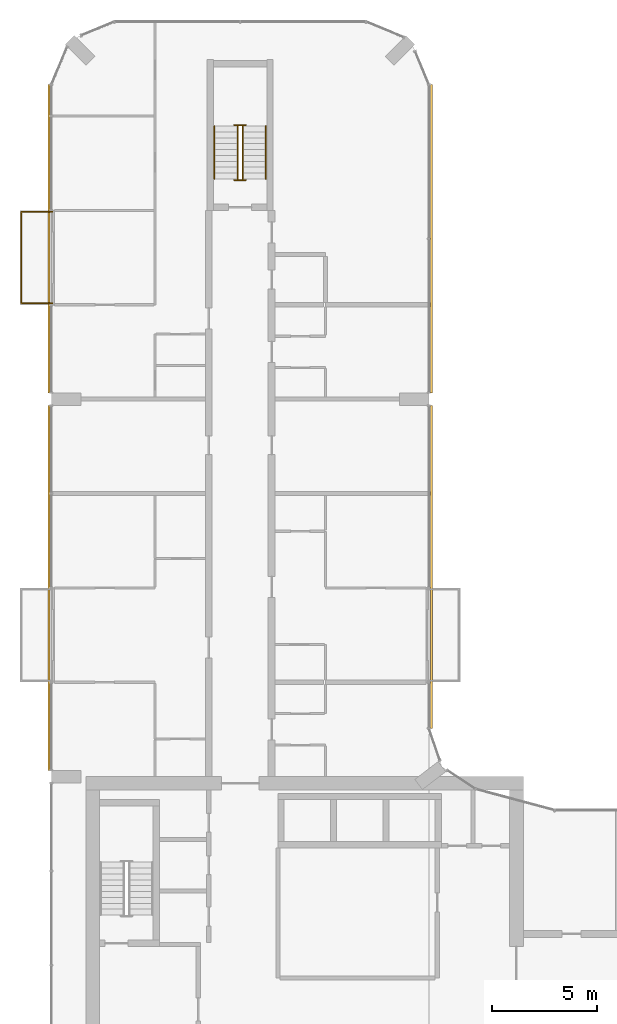
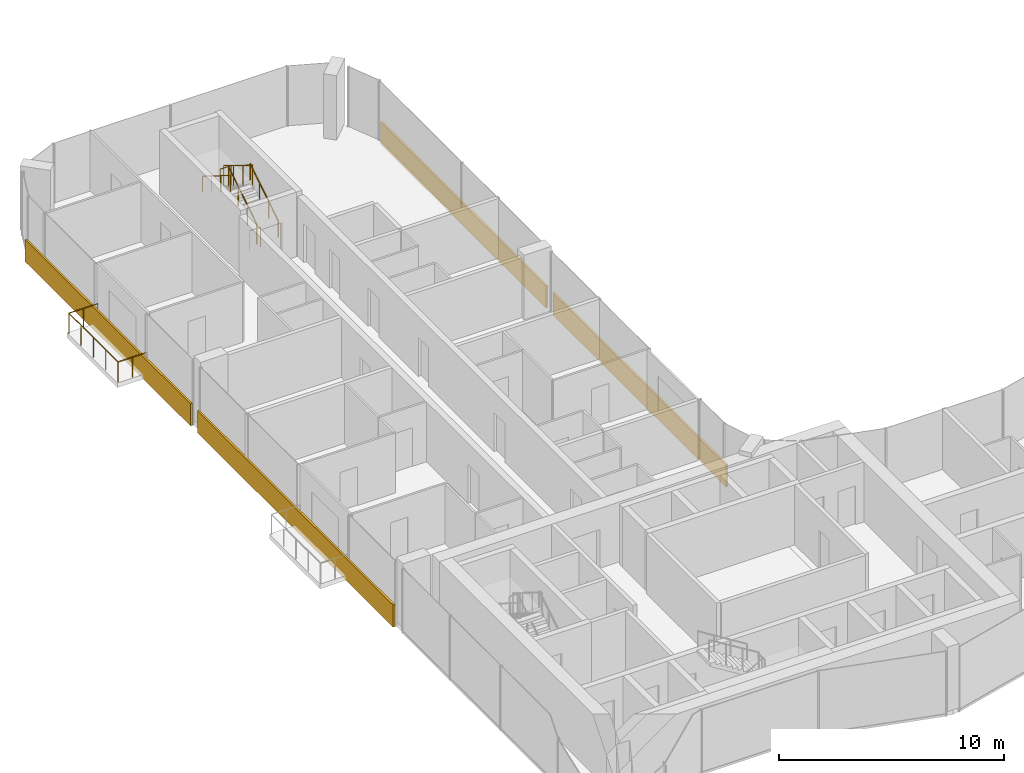
# One storey, part 21 of 22: 7 railings, 4 coverings.
"""IFC4 building model written with IfcOpenShell, lengths in metres."""

import ifcopenshell
import ifcopenshell.guid

model = None  # the IFC model being written
_history = None  # IfcOwnerHistory: only IFC2X3 demands one
_inside = {}  # id of a spatial element -> (the spatial element, [elements in it])
_under = {}  # id of a project, library or spatial element -> (it, [spatial elements below it])
_declared = {}  # id of a project -> (the project, [libraries it declares])
_typed = {}  # id of a type object -> (the type object, [elements of that type])
_made_of = {}  # id of a material, layer set ... -> (it, [elements and type objects made of it])


def new_model(schema):
    """Start an empty IFC model of exactly this schema.

    Asked for "IFC4X3", IfcOpenShell would pick the latest addendum, in which some entities
    have other attributes; the version numbers below select the first issue.
    IFC2X3 requires an IfcOwnerHistory on every rooted entity: one is made here for all.
    """
    global model, _history
    if schema == "IFC4X3":
        model = ifcopenshell.file(schema_version=(4, 3, 0, 0))
    else:
        model = ifcopenshell.file(schema=schema)
    _inside.clear()
    _under.clear()
    _declared.clear()
    _typed.clear()
    _made_of.clear()
    _history = None
    if model.schema == "IFC2X3":
        org = make("IfcOrganization", Name="unknown")
        user = make(
            "IfcPersonAndOrganization",
            ThePerson=make("IfcPerson", FamilyName="unknown"),
            TheOrganization=org,
        )
        app = make(
            "IfcApplication",
            ApplicationDeveloper=org,
            Version="unknown",
            ApplicationFullName="unknown",
            ApplicationIdentifier="unknown",
        )
        _history = make(
            "IfcOwnerHistory",
            OwningUser=user,
            OwningApplication=app,
            ChangeAction="ADDED",
            CreationDate=0,
        )
    return model


def make(cls, **values):
    """One entity of the class cls with the attributes given. An attribute that is None is left unset."""
    return model.create_entity(
        cls, **{name: value for name, value in values.items() if value is not None}
    )


def rooted(cls, **values):
    """An entity with a GlobalId (a new one), such as an element, a storey or a relation."""
    return make(cls, GlobalId=ifcopenshell.guid.new(), OwnerHistory=_history, **values)


def si_unit(unit_type, name, prefix=None):
    """IfcSIUnit, for example si_unit("LENGTHUNIT", "METRE", prefix="MILLI")."""
    return make("IfcSIUnit", UnitType=unit_type, Prefix=prefix, Name=name)


def assignment(units):
    """IfcUnitAssignment: the units of a project."""
    return None if units is None else make("IfcUnitAssignment", Units=units)


def point(xyz):
    """IfcCartesianPoint."""
    return None if xyz is None else make("IfcCartesianPoint", Coordinates=xyz)


def direction(xyz):
    """IfcDirection."""
    return None if xyz is None else make("IfcDirection", DirectionRatios=xyz)


def frame(location, z_axis=None, x_axis=None):
    """IfcAxis2Placement3D, a coordinate frame: its origin and axes. An axis left out is left unset."""
    return make(
        "IfcAxis2Placement3D",
        Location=point(location),
        Axis=direction(z_axis),
        RefDirection=direction(x_axis),
    )


def frame_2d(location, x_axis=None):
    """IfcAxis2Placement2D, a coordinate frame in the plane: its origin and x axis."""
    return make(
        "IfcAxis2Placement2D", Location=point(location), RefDirection=direction(x_axis)
    )


def origin():
    """The frame at (0, 0, 0) with its axes left unset."""
    return frame((0.0, 0.0, 0.0))


def origin_2d():
    """The frame at (0, 0) in the plane with its x axis left unset."""
    return frame_2d((0.0, 0.0))


def place(relative_to, where):
    """IfcLocalPlacement: puts the frame where relative to a parent placement (None: the world)."""
    return make(
        "IfcLocalPlacement", PlacementRelTo=relative_to, RelativePlacement=where
    )


def context(
    kind, dimensions, precision=None, world=None, true_north=None, identifier=None
):
    """IfcGeometricRepresentationContext, for example the 3D "Model" context."""
    return make(
        "IfcGeometricRepresentationContext",
        ContextIdentifier=identifier,
        ContextType=kind,
        CoordinateSpaceDimension=dimensions,
        Precision=precision,
        WorldCoordinateSystem=world,
        TrueNorth=true_north,
    )


def subcontext(parent, identifier, kind, view, scale=None):
    """IfcGeometricRepresentationSubContext, for example "Body" below "Model"."""
    return make(
        "IfcGeometricRepresentationSubContext",
        ContextIdentifier=identifier,
        ContextType=kind,
        ParentContext=parent,
        TargetScale=scale,
        TargetView=view,
    )


def project(units=None, contexts=None):
    """IfcProject with its units and contexts."""
    return rooted(
        "IfcProject",
        Name="project",
        RepresentationContexts=contexts,
        UnitsInContext=assignment(units),
    )


def spatial(cls, under=None, at=None, **own):
    """A site, building, storey or space (cls), placed at a placement, below another one or the project."""
    s = rooted(cls, ObjectPlacement=at, **own)
    if under is not None:
        _under.setdefault(under.id(), (under, []))[1].append(s)
    return s


def profile(cls, at=None, kind="AREA", **sizes):
    """A parametric profile (cls). Its sizes go by their IFC names, for example OverallWidth=200.0."""
    return make(cls, ProfileType=kind, Position=at, **sizes)


def rectangle(**sizes):
    """IfcRectangleProfileDef."""
    return profile("IfcRectangleProfileDef", **sizes)


def circle(**sizes):
    """IfcCircleProfileDef."""
    return profile("IfcCircleProfileDef", **sizes)


def extrude(swept, where, along, depth):
    """IfcExtrudedAreaSolid: the profile swept, set in the frame where, extruded along a direction by depth."""
    return make(
        "IfcExtrudedAreaSolid",
        SweptArea=swept,
        Position=where,
        ExtrudedDirection=direction(along),
        Depth=depth,
    )


def shape(context_of_items, identifier, shape_type, items):
    """IfcShapeRepresentation: the items that make up one representation, for example the "Body"."""
    return make(
        "IfcShapeRepresentation",
        ContextOfItems=context_of_items,
        RepresentationIdentifier=identifier,
        RepresentationType=shape_type,
        Items=items,
    )


def material(Name=None, Category=None):
    """IfcMaterial."""
    return make("IfcMaterial", Name=Name, Category=Category)


def layer(
    of_material, thickness, ventilated=None, Name=None, Category=None, Priority=None
):
    """IfcMaterialLayer: one layer of a wall or slab, of a material (None: an air gap)."""
    return make(
        "IfcMaterialLayer",
        Material=of_material,
        LayerThickness=thickness,
        IsVentilated=ventilated,
        Name=Name,
        Category=Category,
        Priority=Priority,
    )


def layer_set(layers, Name=None):
    """IfcMaterialLayerSet."""
    return make("IfcMaterialLayerSet", MaterialLayers=layers, LayerSetName=Name)


def made_of(thing, what):
    """Note that an element or type object is made of a material, layer set ...; save() writes the relation."""
    if what is not None:
        _made_of.setdefault(what.id(), (what, []))[1].append(thing)
    return thing


def type_object(cls, material=None, **own):
    """A type object (cls), such as IfcWallType, which elements share."""
    return made_of(rooted(cls, **own), material)


def element(
    cls,
    number,
    at=None,
    inside=None,
    cuts=None,
    type_object=None,
    material=None,
    context=None,
    identifier="Body",
    shape_type=None,
    held_by="IfcProductDefinitionShape",
    body=None,
    shapes=None,
    **own,
):
    """One element of the class cls, such as IfcWall. Its Tag is "e" and its number.

    at: its placement. inside: the storey or other place that contains it. cuts: it is an
    opening in that element (IfcRelVoidsElement). A single representation is given by context,
    identifier, shape_type and body (its items); several are given by shapes. held_by: the class
    of the entity that holds the representations. save() writes the other relations.
    """
    e = rooted(cls, Tag="e%d" % number, ObjectPlacement=at, **own)
    if body is not None:
        shapes = [shape(context, identifier, shape_type, body)]
    if shapes is not None:
        e.Representation = make(held_by, Representations=shapes)
    if inside is not None:
        _inside.setdefault(inside.id(), (inside, []))[1].append(e)
    if cuts is not None:
        rooted(
            "IfcRelVoidsElement", RelatingBuildingElement=cuts, RelatedOpeningElement=e
        )
    if type_object is not None:
        _typed.setdefault(type_object.id(), (type_object, []))[1].append(e)
    return made_of(e, material)


def aggregate(whole, parts):
    """IfcRelAggregates: a whole, such as a stair, and the parts it consists of."""
    return rooted("IfcRelAggregates", RelatingObject=whole, RelatedObjects=parts)


def save(model, path):
    """Write the relations noted so far, then the file.

    IfcRelAggregates (storeys below a building ...), IfcRelContainedInSpatialStructure (elements
    in a storey), IfcRelDefinesByType, IfcRelAssociatesMaterial and IfcRelDeclares: one each for
    every whole, place, type object, material and project.
    """
    for whole, parts in _under.values():
        aggregate(whole, parts)
    for where, things in _inside.values():
        rooted(
            "IfcRelContainedInSpatialStructure",
            RelatedElements=things,
            RelatingStructure=where,
        )
    for kind, things in _typed.values():
        rooted("IfcRelDefinesByType", RelatedObjects=things, RelatingType=kind)
    for what, things in _made_of.values():
        rooted("IfcRelAssociatesMaterial", RelatedObjects=things, RelatingMaterial=what)
    for by, libraries in _declared.values():
        rooted("IfcRelDeclares", RelatingContext=by, RelatedDefinitions=libraries)
    model.write(path)


model = new_model("IFC4")

# Units and contexts
model_context = context("Model", 3, precision=1e-05, world=origin(), true_north=direction((0.0, 1.0)))
body_context = subcontext(model_context, "Body", "Model", "MODEL_VIEW")
ifc_project = project(units=[si_unit("LENGTHUNIT", "METRE"), si_unit("AREAUNIT", "SQUARE_METRE"), si_unit("VOLUMEUNIT", "CUBIC_METRE"), si_unit("PLANEANGLEUNIT", "RADIAN"), si_unit("MASSUNIT", "GRAM", prefix="KILO")], contexts=[model_context])

# Site, building, storey
site_placement = place(None, origin())
site = spatial("IfcSite", under=ifc_project, at=site_placement, CompositionType="ELEMENT")
building_placement = place(site_placement, origin())
building = spatial("IfcBuilding", under=site, at=building_placement, Name="Plateau Cross Towers", CompositionType="ELEMENT")
storey_placement = place(building_placement, frame((0.0, 0.0, 109.800048828125)))
storey = spatial("IfcBuildingStorey", under=building, at=storey_placement, Name="L28", CompositionType="ELEMENT", Elevation=109.800048828125)

# Railings
ifc_material_1 = material(Name="Stainless steel and toughened glass", Category="steel")
railing_type_1 = type_object("IfcRailingType", Name="Glass balustrade guard 1100", PredefinedType="GUARDRAIL", material=ifc_material_1)
railing_1_placement = place(storey_placement, frame((0.050048828125, 40.570068359375, 0.0)))
element("IfcRailing", 1, at=railing_1_placement, inside=storey, type_object=railing_type_1, Name="Guard guard1", PredefinedType="GUARDRAIL", context=body_context, shape_type="SweptSolid", body=[
    extrude(circle(Radius=0.02392578125, at=origin_2d()), frame((0.0, 0.0, 1.076171875), z_axis=(-1.0, 0.0, 0.0), x_axis=(0.0, -1.0, 0.0)), (0.0, 0.0, 1.0), 1.47998046875),
    extrude(circle(Radius=0.02392578125, at=origin_2d()), frame((-1.47998046875, 0.0, 1.076171875), z_axis=(0.0, 1.0, 0.0), x_axis=(-1.0, 0.0, 0.0)), (0.0, 0.0, 1.0), 4.35986328125),
    extrude(circle(Radius=0.02392578125, at=origin_2d()), frame((-1.47998046875, 4.35986328125, 1.076171875), z_axis=(1.0, 0.0, 0.0), x_axis=(0.0, 1.0, 0.0)), (0.0, 0.0, 1.0), 1.47998046875),
    extrude(circle(Radius=0.02099609375, at=origin_2d()), origin(), (0.0, 0.0, 1.0), 1.052001953125),
    extrude(circle(Radius=0.02099609375, at=origin_2d()), frame((-0.739990234375, 0.0, 0.0)), (0.0, 0.0, 1.0), 1.052001953125),
    extrude(circle(Radius=0.02099609375, at=origin_2d()), frame((-1.47998046875, 0.0, 0.0)), (0.0, 0.0, 1.0), 1.052001953125),
    extrude(circle(Radius=0.02099609375, at=origin_2d()), frame((-1.47998046875, 1.08984375, 0.0)), (0.0, 0.0, 1.0), 1.052001953125),
    extrude(circle(Radius=0.02099609375, at=origin_2d()), frame((-1.47998046875, 2.179931640625, 0.0)), (0.0, 0.0, 1.0), 1.052001953125),
    extrude(circle(Radius=0.02099609375, at=origin_2d()), frame((-1.47998046875, 3.27001953125, 0.0)), (0.0, 0.0, 1.0), 1.052001953125),
    extrude(circle(Radius=0.02099609375, at=origin_2d()), frame((-1.47998046875, 4.35986328125, 0.0)), (0.0, 0.0, 1.0), 1.052001953125),
    extrude(circle(Radius=0.02099609375, at=origin_2d()), frame((-0.739990234375, 4.35986328125, 0.0)), (0.0, 0.0, 1.0), 1.052001953125),
    extrude(circle(Radius=0.02099609375, at=origin_2d()), frame((0.0, 4.35986328125, 0.0)), (0.0, 0.0, 1.0), 1.052001953125),
])
railing_type_2 = type_object("IfcRailingType", Name="RL-GUARD-1100", PredefinedType="GUARDRAIL", material=ifc_material_1)
railing_2_placement = place(storey_placement, frame((9.125, 46.5, 0.175048828125)))
element("IfcRailing", 2, at=railing_2_placement, inside=storey, type_object=railing_type_2, Name="L28 ES-N stair guard 1", PredefinedType="GUARDRAIL", context=body_context, shape_type="SweptSolid", body=[
    extrude(circle(Radius=0.02392578125, at=origin_2d()), frame((0.0, 0.0, 1.076171875), z_axis=(0.0, 0.848007534815, 0.529984170421), x_axis=(-1.0, 0.0, 0.0)), (0.0, 0.0, 1.0), 2.9716796875),
    extrude(circle(Radius=0.02099609375, at=origin_2d()), origin(), (0.0, 0.0, 1.0), 1.052001953125),
    extrude(circle(Radius=0.02099609375, at=origin_2d()), frame((0.0, 0.840087890625, 0.52490234375)), (0.0, 0.0, 1.0), 1.052001953125),
    extrude(circle(Radius=0.02099609375, at=origin_2d()), frame((0.0, 1.679931640625, 1.050048828125)), (0.0, 0.0, 1.0), 1.052001953125),
    extrude(circle(Radius=0.02099609375, at=origin_2d()), frame((0.0, 2.52001953125, 1.574951171875)), (0.0, 0.0, 1.0), 1.052001953125),
])
railing_3_placement = place(storey_placement, frame((9.27490234375, 49.070068359375, 1.75)))
element("IfcRailing", 3, at=railing_3_placement, inside=storey, type_object=railing_type_2, Name="L28 ES-N stair guard 2", PredefinedType="GUARDRAIL", context=body_context, shape_type="SweptSolid", body=[
    extrude(circle(Radius=0.02392578125, at=origin_2d()), frame((0.0, 0.0, 1.076171875), z_axis=(-1.0, 0.0, 0.0), x_axis=(0.0, -1.0, 0.0)), (0.0, 0.0, 1.0), 0.5498046875),
    extrude(circle(Radius=0.02099609375, at=origin_2d()), origin(), (0.0, 0.0, 1.0), 1.052001953125),
    extrude(circle(Radius=0.02099609375, at=origin_2d()), frame((-0.5498046875, 0.0, 0.0)), (0.0, 0.0, 1.0), 1.052001953125),
])
railing_4_placement = place(storey_placement, frame((8.875, 49.02001953125, 1.925048828125)))
element("IfcRailing", 4, at=railing_4_placement, inside=storey, type_object=railing_type_2, Name="L28 ES-N stair guard 3", PredefinedType="GUARDRAIL", context=body_context, shape_type="SweptSolid", body=[
    extrude(circle(Radius=0.02392578125, at=origin_2d()), frame((0.0, 0.0, 1.076171875), z_axis=(0.0, -0.852638500773, 0.522501279423), x_axis=(1.0, 0.0, 0.0)), (0.0, 0.0, 1.0), 3.01416015625),
    extrude(circle(Radius=0.02099609375, at=origin_2d()), origin(), (0.0, 0.0, 1.0), 1.052001953125),
    extrude(circle(Radius=0.02099609375, at=origin_2d()), frame((0.0, -0.856689453125, 0.52490234375)), (0.0, 0.0, 1.0), 1.052001953125),
    extrude(circle(Radius=0.02099609375, at=origin_2d()), frame((0.0, -1.71337890625, 1.050048828125)), (0.0, 0.0, 1.0), 1.052001953125),
    extrude(circle(Radius=0.02099609375, at=origin_2d()), frame((0.0, -2.570068359375, 1.574951171875)), (0.0, 0.0, 1.0), 1.052001953125),
])
railing_5_placement = place(storey_placement, frame((9.27490234375, 46.449951171875, 0.0)))
element("IfcRailing", 5, at=railing_5_placement, inside=storey, type_object=railing_type_2, Name="L28 ES-N stair guard 4", PredefinedType="GUARDRAIL", context=body_context, shape_type="SweptSolid", body=[
    extrude(circle(Radius=0.02392578125, at=origin_2d()), frame((0.0, 0.0, 1.076171875), z_axis=(-1.0, 0.0, 0.0), x_axis=(0.0, -1.0, 0.0)), (0.0, 0.0, 1.0), 0.5498046875),
    extrude(circle(Radius=0.02099609375, at=origin_2d()), origin(), (0.0, 0.0, 1.0), 1.052001953125),
    extrude(circle(Radius=0.02099609375, at=origin_2d()), frame((-0.5498046875, 0.0, 0.0)), (0.0, 0.0, 1.0), 1.052001953125),
])
ifc_material_2 = material(Name="Black anodised aluminium", Category="aluminium")
railing_type_3 = type_object("IfcRailingType", Name="RL-HANDRAIL-900", PredefinedType="HANDRAIL", material=ifc_material_2)
railing_6_placement = place(storey_placement, frame((10.22509765625, 46.5, 0.175048828125)))
element("IfcRailing", 6, at=railing_6_placement, inside=storey, type_object=railing_type_3, Name="L28 ES-N stair handrail 1", PredefinedType="HANDRAIL", context=body_context, shape_type="SweptSolid", body=[
    extrude(circle(Radius=0.02392578125, at=origin_2d()), frame((0.0, 0.0, 0.8759765625), z_axis=(0.0, 0.848007534815, 0.529984170421), x_axis=(-1.0, 0.0, 0.0)), (0.0, 0.0, 1.0), 2.9716796875),
    extrude(circle(Radius=0.02099609375, at=origin_2d()), origin(), (0.0, 0.0, 1.0), 0.851806640625),
    extrude(circle(Radius=0.02099609375, at=origin_2d()), frame((0.0, 0.840087890625, 0.52490234375)), (0.0, 0.0, 1.0), 0.851806640625),
    extrude(circle(Radius=0.02099609375, at=origin_2d()), frame((0.0, 1.679931640625, 1.050048828125)), (0.0, 0.0, 1.0), 0.851806640625),
    extrude(circle(Radius=0.02099609375, at=origin_2d()), frame((0.0, 2.52001953125, 1.574951171875)), (0.0, 0.0, 1.0), 0.851806640625),
])
railing_7_placement = place(storey_placement, frame((7.77490234375, 49.02001953125, 1.925048828125)))
element("IfcRailing", 7, at=railing_7_placement, inside=storey, type_object=railing_type_3, Name="L28 ES-N stair handrail 2", PredefinedType="HANDRAIL", context=body_context, shape_type="SweptSolid", body=[
    extrude(circle(Radius=0.02392578125, at=origin_2d()), frame((0.0, 0.0, 0.8759765625), z_axis=(0.0, -0.848007534815, 0.529984170421), x_axis=(1.0, 0.0, 0.0)), (0.0, 0.0, 1.0), 2.9716796875),
    extrude(circle(Radius=0.02099609375, at=origin_2d()), origin(), (0.0, 0.0, 1.0), 0.851806640625),
    extrude(circle(Radius=0.02099609375, at=origin_2d()), frame((0.0, -0.840087890625, 0.52490234375)), (0.0, 0.0, 1.0), 0.851806640625),
    extrude(circle(Radius=0.02099609375, at=origin_2d()), frame((0.0, -1.679931640625, 1.050048828125)), (0.0, 0.0, 1.0), 0.851806640625),
    extrude(circle(Radius=0.02099609375, at=origin_2d()), frame((0.0, -2.52001953125, 1.574951171875)), (0.0, 0.0, 1.0), 0.851806640625),
])

# Coverings
ifc_material_3 = material(Name="Precast concrete cladding C40/50", Category="concrete")
ifc_layer = layer(ifc_material_3, 0.10009765625)
ifc_layer_set = layer_set([ifc_layer], Name="Precast concrete cladding C40/50")
covering_type = type_object("IfcCoveringType", Name="Spandrel band cladding 100x1200", PredefinedType="CLADDING", material=ifc_layer_set)
covering_1_placement = place(storey_placement, frame((18.1201171875, 28.001220703125, -0.25), z_axis=(0.0, 0.0, 1.0), x_axis=(0.0, 1.0, 0.0)))
element("IfcCovering", 8, at=covering_1_placement, inside=storey, type_object=covering_type, Name="Spandrel band", PredefinedType="CLADDING", context=body_context, shape_type="SweptSolid", body=[
    extrude(rectangle(XDim=15.397705078125, YDim=0.10009765625, at=origin_2d()), origin(), (0.0, 0.0, 1.0), 1.199951171875),
])
for number, where, z_axis, x_axis, name in (
    (9, (18.1201171875, 43.64990234375, -0.25), (0.0, 0.0, 1.0), (0.0, 1.0, 0.0), "Spandrel band"),
    (10, (-0.1201171875, 43.64990234375, -0.25), (0.0, 0.0, 1.0), (0.0, -1.0, 0.0), "Spandrel band"),
):
    element("IfcCovering", number, at=place(storey_placement, frame(where, z_axis=z_axis, x_axis=x_axis)), inside=storey, type_object=covering_type, Name=name, PredefinedType="CLADDING", context=body_context, shape_type="SweptSolid", body=[
        extrude(rectangle(XDim=14.699951171875, YDim=0.10009765625, at=origin_2d()), origin(), (0.0, 0.0, 1.0), 1.199951171875),
    ])
covering_2_placement = place(storey_placement, frame((-0.1201171875, 27.0, -0.25), z_axis=(0.0, 0.0, 1.0), x_axis=(0.0, -1.0, 0.0)))
element("IfcCovering", 11, at=covering_2_placement, inside=storey, type_object=covering_type, Name="Spandrel band", PredefinedType="CLADDING", context=body_context, shape_type="SweptSolid", body=[
    extrude(rectangle(XDim=17.39990234375, YDim=0.10009765625, at=origin_2d()), origin(), (0.0, 0.0, 1.0), 1.199951171875),
])

save(model, "model.ifc")
